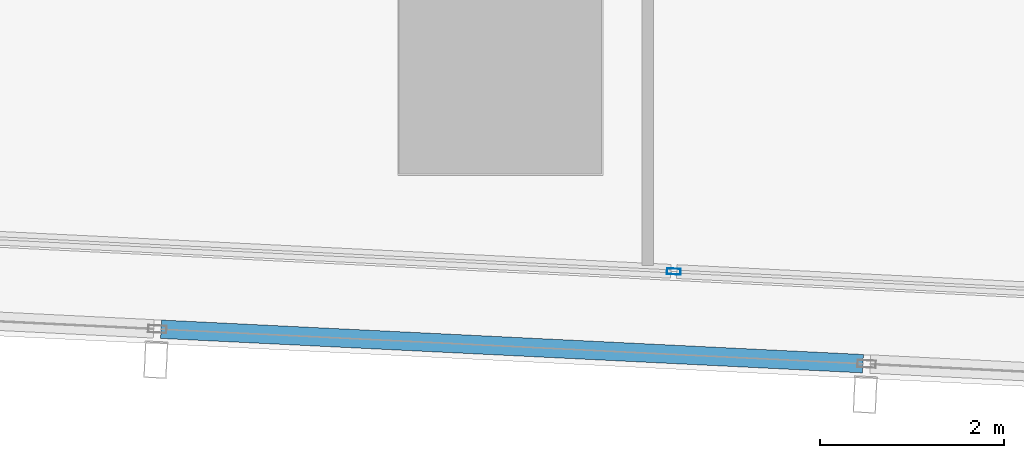
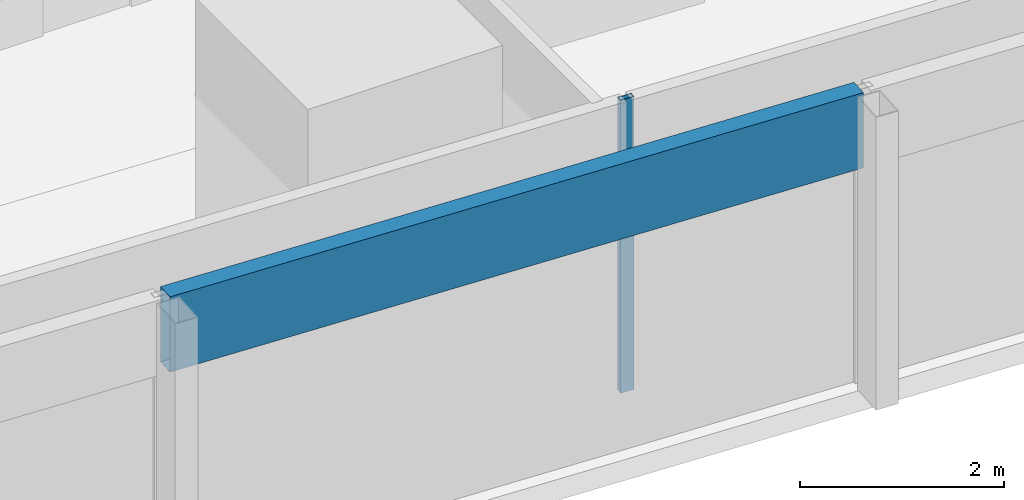
# One storey, part 6 of 42: 2 members, 2 elements without a shape of their own.
"""IFC4 building model written with IfcOpenShell, lengths in metres."""

from ifc_helpers import new_model, si_unit, direction, frame, origin, origin_2d, place, context, subcontext, project, spatial, hollow_rectangle, extrude, material, material_profile, profile_set, type_object, element, aggregate, save


model = new_model("IFC4")

# Units and contexts
model_context = context("Model", 3, precision=1e-05, world=origin(), true_north=direction((0.0, 1.0)))
body_context = subcontext(model_context, "Body", "Model", "MODEL_VIEW")
ifc_project = project(units=[si_unit("LENGTHUNIT", "METRE"), si_unit("AREAUNIT", "SQUARE_METRE"), si_unit("VOLUMEUNIT", "CUBIC_METRE"), si_unit("PLANEANGLEUNIT", "RADIAN"), si_unit("MASSUNIT", "GRAM", prefix="KILO")], contexts=[model_context])

# Site, building, storey
site_placement = place(None, origin())
site = spatial("IfcSite", under=ifc_project, at=site_placement, CompositionType="ELEMENT")
building_placement = place(site_placement, origin())
building = spatial("IfcBuilding", under=site, at=building_placement, Name="Rekha Terrace Tower", CompositionType="ELEMENT")
storey_placement = place(building_placement, frame((0.0, 0.0, 70.39990234375)))
storey = spatial("IfcBuildingStorey", under=building, at=storey_placement, Name="L17", CompositionType="ELEMENT", Elevation=70.39990234375)

# Curtain wall, member
ifc_material_1 = material(Name="Aluminium framing", Category="aluminium")
curtain_wall_type_1 = type_object("IfcCurtainWallType", Name="CW1 double skin inner glazing", PredefinedType="USERDEFINED", material=ifc_material_1)
curtain_wall_1_placement = place(storey_placement, origin())
curtain_wall_1 = element("IfcCurtainWall", 1, at=curtain_wall_1_placement, inside=storey, type_object=curtain_wall_type_1, Name="CW1 double skin inner glazing", ObjectType="DOUBLE SKIN INNER GLAZING", PredefinedType="USERDEFINED")
ifc_material_2 = material(Name="Aluminium mullion section", Category="aluminium")
ifc_material_profile_1 = material_profile(ifc_material_2, hollow_rectangle(XDim=0.06494140625, YDim=0.14990234375, WallThickness=0.00390625, at=origin_2d()), Name="AL RHS 65x150")
ifc_profile_set_1 = profile_set([ifc_material_profile_1], Name="Aluminium mullion section")
member_type_1 = type_object("IfcMemberType", Name="CW1 mullion RHS 65 x 150", PredefinedType="MULLION", material=ifc_profile_set_1)
member_1_placement = place(storey_placement, frame((35.48388671875, 6.24267578125, 0.0), z_axis=(0.0, 0.0, 1.0), x_axis=(0.049051717746, 0.998796239974, 0.0)))
member_1 = element("IfcMember", 2, at=member_1_placement, type_object=member_type_1, Name="CW1 mullion 3", PredefinedType="MULLION", context=body_context, shape_type="SweptSolid", body=[
    extrude(hollow_rectangle(XDim=0.06494140625, YDim=0.14990234375, WallThickness=0.00390625, at=origin_2d()), origin(), (0.0, 0.0, 1.0), 3.5),
])
aggregate(curtain_wall_1, [member_1])

curtain_wall_type_2 = type_object("IfcCurtainWallType", Name="CW2 double skin outer glazing", PredefinedType="USERDEFINED", material=ifc_material_1)
curtain_wall_2_placement = place(storey_placement, origin())
curtain_wall_2 = element("IfcCurtainWall", 3, at=curtain_wall_2_placement, inside=storey, type_object=curtain_wall_type_2, Name="CW2 double skin outer glazing", ObjectType="DOUBLE SKIN OUTER GLAZING", PredefinedType="USERDEFINED")
ifc_material_3 = material(Name="Insulated aluminium spandrel box", Category="aluminium")
ifc_material_profile_2 = material_profile(ifc_material_3, hollow_rectangle(XDim=0.199951171875, YDim=0.89990234375, WallThickness=0.0029296875, at=origin_2d()), Name="AL SPANDREL BOX 200x900")
ifc_profile_set_2 = profile_set([ifc_material_profile_2], Name="Insulated aluminium spandrel box")
member_type_2 = type_object("IfcMemberType", Name="CW2 spandrel transom 200 x 900", PredefinedType="USERDEFINED", material=ifc_profile_set_2)
member_2_placement = place(storey_placement, frame((29.91259765625, 5.615234375, 3.050048828125), z_axis=(0.998796434643, -0.049047753721, 0.0), x_axis=(0.049047753721, 0.998796434643, 0.0)))
member_2 = element("IfcMember", 4, at=member_2_placement, type_object=member_type_2, Name="CW2 spandrel transom 4", ObjectType="TRANSOM", PredefinedType="USERDEFINED", context=body_context, shape_type="SweptSolid", body=[
    extrude(hollow_rectangle(XDim=0.199951171875, YDim=0.89990234375, WallThickness=0.0029296875, at=origin_2d()), origin(), (0.0, 0.0, 1.0), 7.6357421875),
])
aggregate(curtain_wall_2, [member_2])

save(model, "model.ifc")
